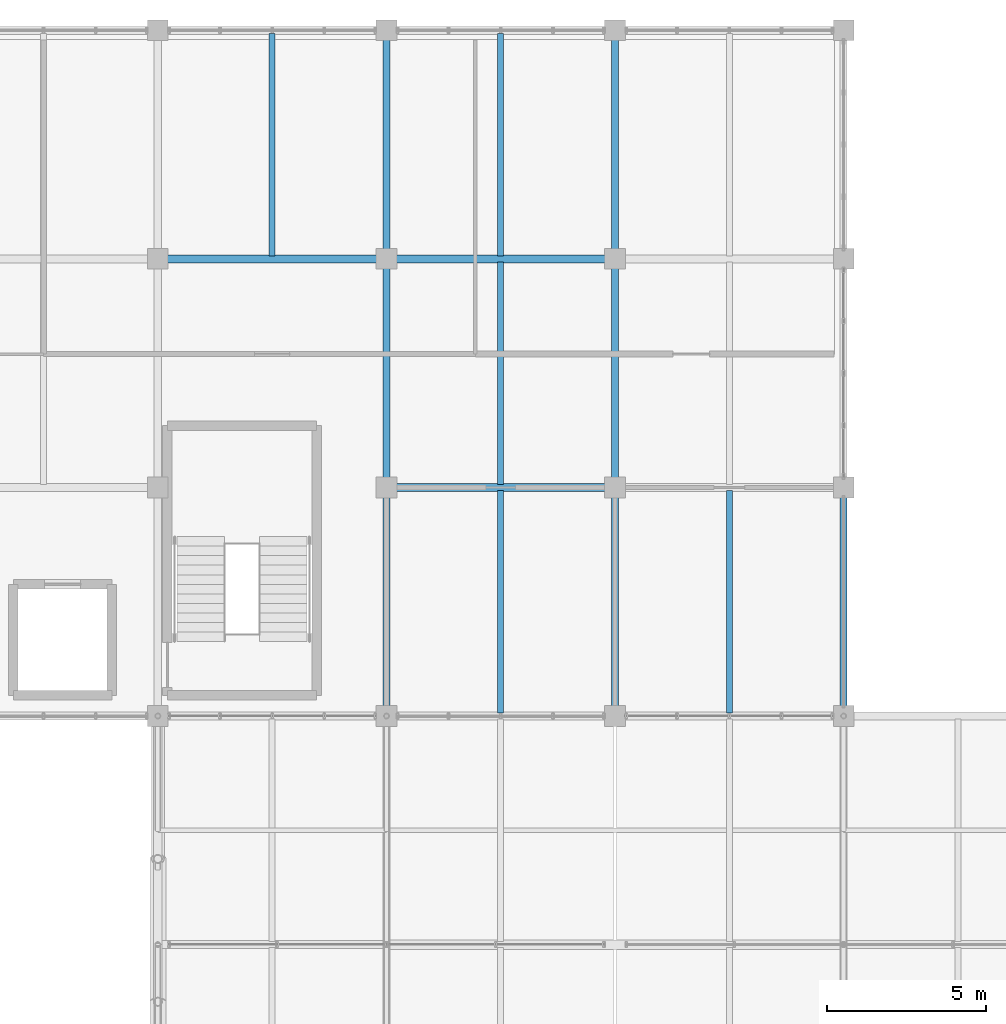
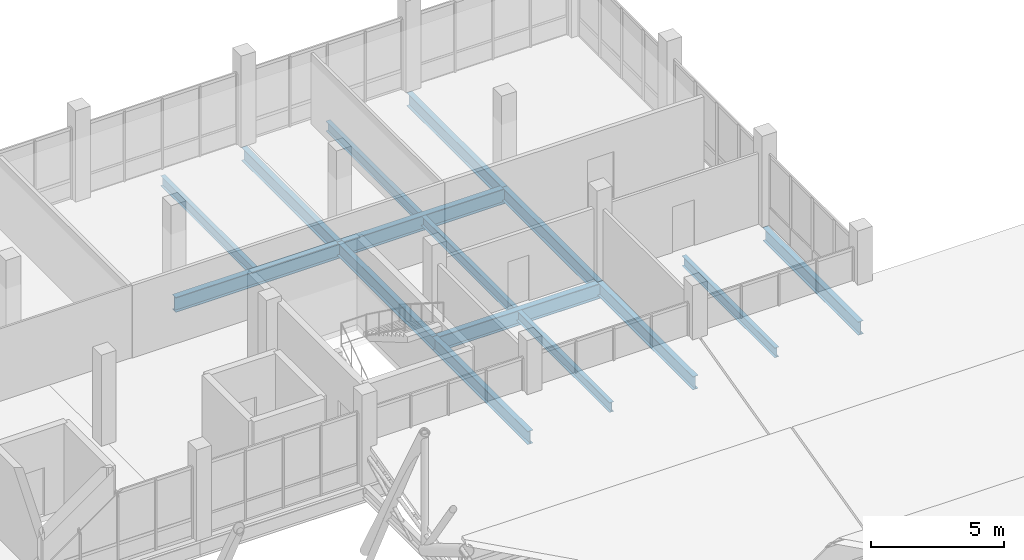
# One storey, part 86 of 144: 15 beams.
"""IFC4 building model written with IfcOpenShell, lengths in metres."""

from ifc_helpers import new_model, si_unit, direction, frame, origin, origin_2d, place, context, subcontext, project, spatial, i_section, extrude, material, material_profile, profile_set, type_object, element, save


model = new_model("IFC4")

# Units and contexts
model_context = context("Model", 3, precision=1e-05, world=origin(), true_north=direction((0.0, 1.0)))
body_context = subcontext(model_context, "Body", "Model", "MODEL_VIEW")
ifc_project = project(units=[si_unit("LENGTHUNIT", "METRE"), si_unit("AREAUNIT", "SQUARE_METRE"), si_unit("VOLUMEUNIT", "CUBIC_METRE"), si_unit("PLANEANGLEUNIT", "RADIAN"), si_unit("MASSUNIT", "GRAM", prefix="KILO")], contexts=[model_context])

# Site, building, storey
site_placement = place(None, origin())
site = spatial("IfcSite", under=ifc_project, at=site_placement, CompositionType="ELEMENT")
building_placement = place(site_placement, origin())
building = spatial("IfcBuilding", under=site, at=building_placement, Name="Yarey Park Central Fire Station", CompositionType="ELEMENT")
storey_placement = place(building_placement, frame((0.0, 0.0, 10.199951171875)))
storey = spatial("IfcBuildingStorey", under=building, at=storey_placement, Name="L03", CompositionType="ELEMENT", Elevation=10.199951171875)

# Beams
ifc_material = material(Name="Steel ASTM A992 Gr. 50", Category="steel")
ifc_material_profile_1 = material_profile(ifc_material, i_section(OverallWidth=0.22900390625, OverallDepth=0.612060546875, WebThickness=0.011962890625, FlangeThickness=0.01953125, at=origin_2d()), Name="W610x125")
ifc_profile_set_1 = profile_set([ifc_material_profile_1], Name="Steel ASTM A992 Gr. 50")
beam_type_1 = type_object("IfcBeamType", Name="STR_BM_W610", PredefinedType="BEAM", material=ifc_profile_set_1)
for number, where, z_axis, x_axis, name in (
    (1, (144.0, 93.60009765625, -0.56591796875), (0.0, 1.0, 0.0), (-1.0, 0.0, 0.0), "BMY L03 X1440 Y936"),
    (2, (144.0, 100.800048828125, -0.56591796875), (0.0, 1.0, 0.0), (-1.0, 0.0, 0.0), "BMY L03 X1440 Y1008"),
    (3, (144.0, 108.0, -0.56591796875), (0.0, 1.0, 0.0), (-1.0, 0.0, 0.0), "BMY L03 X1440 Y1080"),
    (4, (151.199951171875, 93.60009765625, -0.56591796875), (0.0, 1.0, 0.0), (-1.0, 0.0, 0.0), "BMY L03 X1512 Y936"),
    (5, (151.199951171875, 100.800048828125, -0.56591796875), (0.0, 1.0, 0.0), (-1.0, 0.0, 0.0), "BMY L03 X1512 Y1008"),
    (6, (151.199951171875, 108.0, -0.56591796875), (0.0, 1.0, 0.0), (-1.0, 0.0, 0.0), "BMY L03 X1512 Y1080"),
    (7, (158.39990234375, 93.60009765625, -0.56591796875), (0.0, 1.0, 0.0), (-1.0, 0.0, 0.0), "BMY L03 X1584 Y936"),
):
    element("IfcBeam", number, at=place(storey_placement, frame(where, z_axis=z_axis, x_axis=x_axis)), inside=storey, type_object=beam_type_1, Name=name, PredefinedType="BEAM", context=body_context, shape_type="SweptSolid", body=[
        extrude(i_section(OverallWidth=0.22900390625, OverallDepth=0.612060546875, WebThickness=0.011962890625, FlangeThickness=0.01953125, at=origin_2d()), origin(), (0.0, 0.0, 1.0), 7.199951171875),
    ])
ifc_material_profile_2 = material_profile(ifc_material, i_section(OverallWidth=0.256103515625, OverallDepth=0.693115234375, WebThickness=0.014404296875, FlangeThickness=0.023681640625, at=origin_2d()), Name="W690x170")
ifc_profile_set_2 = profile_set([ifc_material_profile_2], Name="Steel ASTM A992 Gr. 50")
beam_type_2 = type_object("IfcBeamType", Name="STR_BM_W690", PredefinedType="BEAM", material=ifc_profile_set_2)
for number, where, z_axis, x_axis, name in (
    (8, (144.0, 100.800048828125, -0.6064453125), (1.0, 0.0, 0.0), (0.0, 1.0, 0.0), "BMX L03 Y1008 X1440"),
    (9, (136.800048828125, 108.0, -0.6064453125), (1.0, 0.0, 0.0), (0.0, 1.0, 0.0), "BMX L03 Y1080 X1368"),
    (10, (144.0, 108.0, -0.6064453125), (1.0, 0.0, 0.0), (0.0, 1.0, 0.0), "BMX L03 Y1080 X1440"),
):
    element("IfcBeam", number, at=place(storey_placement, frame(where, z_axis=z_axis, x_axis=x_axis)), inside=storey, type_object=beam_type_2, Name=name, PredefinedType="BEAM", context=body_context, shape_type="SweptSolid", body=[
        extrude(i_section(OverallWidth=0.256103515625, OverallDepth=0.693115234375, WebThickness=0.014404296875, FlangeThickness=0.023681640625, at=origin_2d()), origin(), (0.0, 0.0, 1.0), 7.199951171875),
    ])
ifc_material_profile_3 = material_profile(ifc_material, i_section(OverallWidth=0.18994140625, OverallDepth=0.45703125, WebThickness=0.009033203125, FlangeThickness=0.014404296875, at=origin_2d()), Name="W460x74")
ifc_profile_set_3 = profile_set([ifc_material_profile_3], Name="Steel ASTM A992 Gr. 50")
beam_type_3 = type_object("IfcBeamType", Name="STR_JST_W460", PredefinedType="JOIST", material=ifc_profile_set_3)
for number, where, z_axis, x_axis, name in (
    (11, (140.39990234375, 108.094970703125, -0.488525390625), (0.0, 1.0, 0.0), (-1.0, 0.0, 0.0), "JST L03 X1404 Y1080"),
    (12, (147.60009765625, 93.695068359375, -0.488525390625), (0.0, 1.0, 0.0), (-1.0, 0.0, 0.0), "JST L03 X1476 Y936"),
    (13, (147.60009765625, 100.89501953125, -0.488525390625), (0.0, 1.0, 0.0), (-1.0, 0.0, 0.0), "JST L03 X1476 Y1008"),
    (14, (147.60009765625, 108.094970703125, -0.488525390625), (0.0, 1.0, 0.0), (-1.0, 0.0, 0.0), "JST L03 X1476 Y1080"),
    (15, (154.800048828125, 93.695068359375, -0.488525390625), (0.0, 1.0, 0.0), (-1.0, 0.0, 0.0), "JST L03 X1548 Y936"),
):
    element("IfcBeam", number, at=place(storey_placement, frame(where, z_axis=z_axis, x_axis=x_axis)), inside=storey, type_object=beam_type_3, Name=name, PredefinedType="JOIST", context=body_context, shape_type="SweptSolid", body=[
        extrude(i_section(OverallWidth=0.18994140625, OverallDepth=0.45703125, WebThickness=0.009033203125, FlangeThickness=0.014404296875, at=origin_2d()), origin(), (0.0, 0.0, 1.0), 7.010009765625),
    ])

save(model, "model.ifc")
